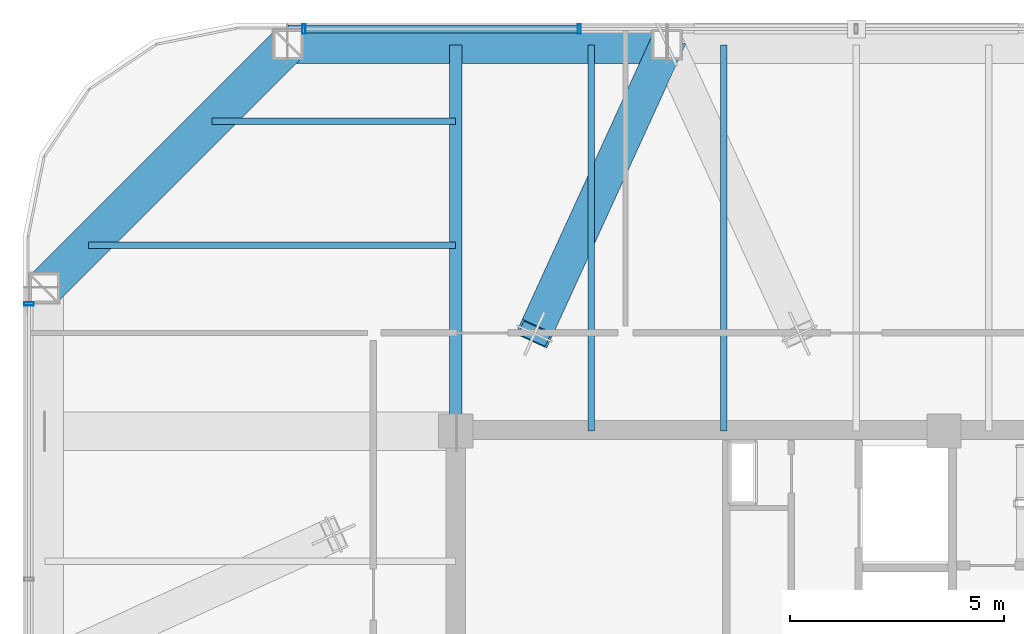
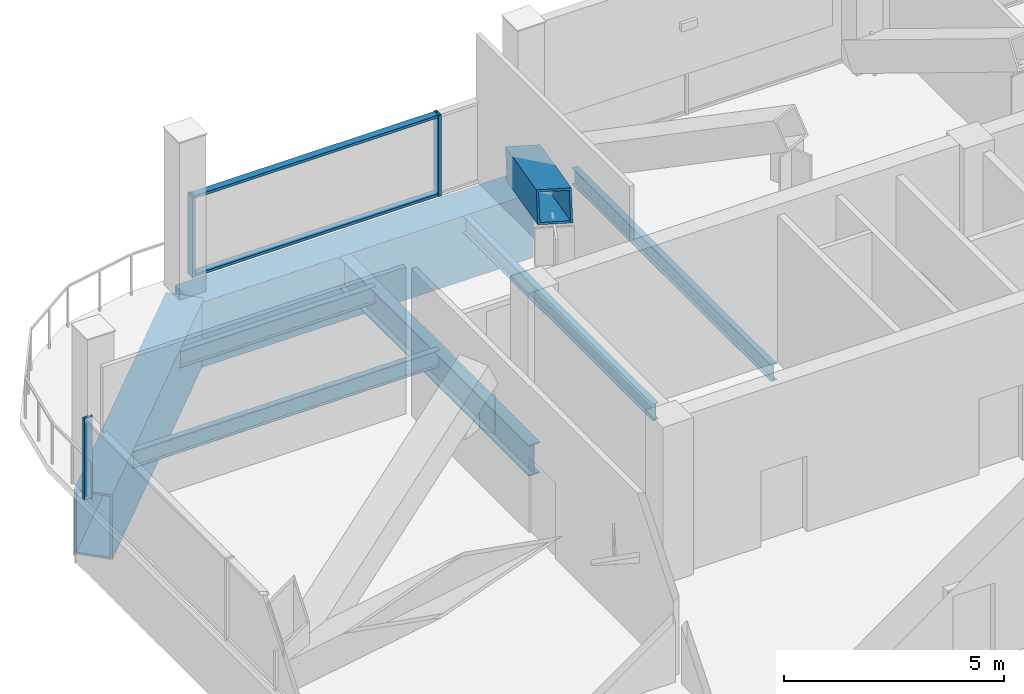
# One storey, part 11 of 19: 7 beams, 6 members, 2 elements without a shape of their own.
"""IFC4 building model written with IfcOpenShell, lengths in metres."""

from ifc_helpers import new_model, si_unit, direction, frame, origin, origin_2d, place, context, subcontext, project, spatial, hollow_rectangle, i_section, extrude, material, layer, layer_set, material_profile, profile_set, type_object, element, aggregate, save


model = new_model("IFC4")

# Units and contexts
model_context = context("Model", 3, precision=1e-05, world=origin(), true_north=direction((0.0, 1.0)))
body_context = subcontext(model_context, "Body", "Model", "MODEL_VIEW")
ifc_project = project(units=[si_unit("LENGTHUNIT", "METRE"), si_unit("AREAUNIT", "SQUARE_METRE"), si_unit("VOLUMEUNIT", "CUBIC_METRE"), si_unit("PLANEANGLEUNIT", "RADIAN"), si_unit("MASSUNIT", "GRAM", prefix="KILO")], contexts=[model_context])

# Site, building, storey
site_placement = place(None, origin())
site = spatial("IfcSite", under=ifc_project, at=site_placement, CompositionType="ELEMENT")
building_placement = place(site_placement, origin())
building = spatial("IfcBuilding", under=site, at=building_placement, Name="Qhalaya Broadcast Tower", CompositionType="ELEMENT")
storey_placement = place(building_placement, frame((0.0, 0.0, 226.949951171875)))
storey = spatial("IfcBuildingStorey", under=building, at=storey_placement, Name="L67", CompositionType="ELEMENT", Elevation=226.949951171875)

# Beams
ifc_material_1 = material(Name="Structural Steel ASTM A572 Grade 50", Category="steel")
ifc_material_profile_1 = material_profile(ifc_material_1, hollow_rectangle(XDim=0.89990234375, YDim=1.800048828125, WallThickness=0.06005859375, at=origin_2d()), Name="BOX 900x1800x60")
ifc_profile_set_1 = profile_set([ifc_material_profile_1], Name="Structural Steel ASTM A572 Grade 50")
beam_type_1 = type_object("IfcBeamType", Name="Block Cantilever Transfer Box Girder TG1", PredefinedType="USERDEFINED", material=ifc_profile_set_1)
beam_1_placement = place(storey_placement, frame((-4.433349609375, 19.0, -1.08984375), z_axis=(-1.0, 0.0, 0.0), x_axis=(0.0, -1.0, 0.0)))
element("IfcBeam", 1, at=beam_1_placement, inside=storey, type_object=beam_type_1, Name="L67 TG1 L67-SPR-11", ObjectType="GIRDER", PredefinedType="USERDEFINED", context=body_context, shape_type="SweptSolid", body=[
    extrude(hollow_rectangle(XDim=0.89990234375, YDim=1.800048828125, WallThickness=0.06005859375, at=origin_2d()), origin(), (0.0, 0.0, 1.0), 8.86669921875),
])
beam_2_placement = place(storey_placement, frame((-13.300048828125, 19.0, -1.08984375), z_axis=(-0.707106781187, -0.707106781187, 0.0), x_axis=(0.707106781187, -0.707106781187, 0.0)))
element("IfcBeam", 2, at=beam_2_placement, inside=storey, type_object=beam_type_1, Name="L67 TG1 L67-SPR-12", ObjectType="GIRDER", PredefinedType="USERDEFINED", context=body_context, shape_type="SweptSolid", body=[
    extrude(hollow_rectangle(XDim=0.89990234375, YDim=1.800048828125, WallThickness=0.06005859375, at=origin_2d()), origin(), (0.0, 0.0, 1.0), 8.06103515625),
])
ifc_material_2 = material(Name="Structural Steel ASTM A992 Grade 50", Category="steel")
ifc_material_profile_2 = material_profile(ifc_material_2, i_section(OverallWidth=0.154052734375, OverallDepth=0.458984375, WebThickness=0.009033203125, FlangeThickness=0.015380859375, at=origin_2d()), Name="W18X46")
ifc_profile_set_2 = profile_set([ifc_material_profile_2], Name="Structural Steel ASTM A992 Grade 50")
beam_type_2 = type_object("IfcBeamType", Name="Composite Floor Joist J04", PredefinedType="JOIST", material=ifc_profile_set_2)
for number, where, z_axis, x_axis, name in (
    (3, (-6.199951171875, 9.949951171875, -0.41943359375), (0.0, 1.0, 0.0), (-1.0, 0.0, 0.0), "L67 J04 L67-JNN1-1"),
    (4, (-3.10009765625, 9.949951171875, -0.41943359375), (0.0, 1.0, 0.0), (-1.0, 0.0, 0.0), "L67 J04 L67-JNN2-1"),
):
    element("IfcBeam", number, at=place(storey_placement, frame(where, z_axis=z_axis, x_axis=x_axis)), inside=storey, type_object=beam_type_2, Name=name, PredefinedType="JOIST", context=body_context, shape_type="SweptSolid", body=[
        extrude(i_section(OverallWidth=0.154052734375, OverallDepth=0.458984375, WebThickness=0.009033203125, FlangeThickness=0.015380859375, at=origin_2d()), origin(), (0.0, 0.0, 1.0), 9.030029296875),
    ])
beam_3_placement = place(storey_placement, frame((-17.9716796875, 14.300048828125, -0.41943359375), z_axis=(1.0, 0.0, 0.0), x_axis=(0.0, 1.0, 0.0)))
element("IfcBeam", 5, at=beam_3_placement, inside=storey, type_object=beam_type_2, Name="L67 J04 L67-JWE6W-1", PredefinedType="JOIST", context=body_context, shape_type="SweptSolid", body=[
    extrude(i_section(OverallWidth=0.154052734375, OverallDepth=0.458984375, WebThickness=0.009033203125, FlangeThickness=0.015380859375, at=origin_2d()), origin(), (0.0, 0.0, 1.0), 8.5966796875),
])
beam_4_placement = place(storey_placement, frame((-15.07177734375, 17.199951171875, -0.41943359375), z_axis=(1.0, 0.0, 0.0), x_axis=(0.0, 1.0, 0.0)))
element("IfcBeam", 6, at=beam_4_placement, inside=storey, type_object=beam_type_2, Name="L67 J04 L67-JWE7W-1", PredefinedType="JOIST", context=body_context, shape_type="SweptSolid", body=[
    extrude(i_section(OverallWidth=0.154052734375, OverallDepth=0.458984375, WebThickness=0.009033203125, FlangeThickness=0.015380859375, at=origin_2d()), origin(), (0.0, 0.0, 1.0), 5.69677734375),
])

# Curtain wall, members
ifc_material_3 = material(Name="Fired Architectural Terracotta", Category="masonry")
ifc_layer = layer(ifc_material_3, 0.219970703125, Name="Fired Architectural Terracotta")
ifc_layer_set = layer_set([ifc_layer], Name="Fired Architectural Terracotta")
curtain_wall_type = type_object("IfcCurtainWallType", Name="Block-Cap Unitised Terracotta Spandrel Wall CW-07", PredefinedType="NOTDEFINED", material=ifc_layer_set)
curtain_wall_1_placement = place(storey_placement, origin())
curtain_wall_1 = element("IfcCurtainWall", 7, at=curtain_wall_1_placement, inside=storey, type_object=curtain_wall_type, Name="L67 Unitised Curtain Wall L67-CW-N", PredefinedType="NOTDEFINED")
ifc_material_4 = material(Name="Anodised Aluminium 6063-T6", Category="aluminium")
ifc_material_profile_3 = material_profile(ifc_material_4, hollow_rectangle(XDim=0.074951171875, YDim=0.219970703125, WallThickness=0.00390625, at=origin_2d()), Name="ALU-MUL 75x220x4")
ifc_profile_set_3 = profile_set([ifc_material_profile_3], Name="Anodised Aluminium 6063-T6")
member_type_1 = type_object("IfcMemberType", Name="Unitised Curtain-Wall Mullion M01", PredefinedType="MULLION", material=ifc_profile_set_3)
member_1_placement = place(storey_placement, frame((-12.924560546875, 19.360107421875, 0.0), z_axis=(0.0, 0.0, 1.0), x_axis=(1.0, 0.0, 0.0)))
member_1 = element("IfcMember", 8, at=member_1_placement, type_object=member_type_1, Name="CW-07 mullion 1", PredefinedType="MULLION", context=body_context, shape_type="SweptSolid", body=[
    extrude(hollow_rectangle(XDim=0.074951171875, YDim=0.219970703125, WallThickness=0.00390625, at=origin_2d()), origin(), (0.0, 0.0, 1.0), 2.25),
])
member_2_placement = place(storey_placement, frame((-6.48095703125, 19.360107421875, 0.0), z_axis=(0.0, 0.0, 1.0), x_axis=(1.0, 0.0, 0.0)))
member_2 = element("IfcMember", 9, at=member_2_placement, type_object=member_type_1, Name="CW-07 mullion 2", PredefinedType="MULLION", context=body_context, shape_type="SweptSolid", body=[
    extrude(hollow_rectangle(XDim=0.074951171875, YDim=0.219970703125, WallThickness=0.00390625, at=origin_2d()), origin(), (0.0, 0.0, 1.0), 2.25),
])

# Curtain wall, member
curtain_wall_2_placement = place(storey_placement, origin())
curtain_wall_2 = element("IfcCurtainWall", 10, at=curtain_wall_2_placement, inside=storey, type_object=curtain_wall_type, Name="L67 Unitised Curtain Wall L67-CW-W", PredefinedType="NOTDEFINED")
member_3_placement = place(storey_placement, frame((-19.360107421875, 12.924560546875, 0.0), z_axis=(0.0, 0.0, 1.0), x_axis=(0.0, 1.0, 0.0)))
member_3 = element("IfcMember", 11, at=member_3_placement, type_object=member_type_1, Name="CW-07 mullion 5", PredefinedType="MULLION", context=body_context, shape_type="SweptSolid", body=[
    extrude(hollow_rectangle(XDim=0.074951171875, YDim=0.219970703125, WallThickness=0.00390625, at=origin_2d()), origin(), (0.0, 0.0, 1.0), 2.25),
])
aggregate(curtain_wall_2, [member_3])

# Member
ifc_material_profile_4 = material_profile(ifc_material_4, hollow_rectangle(XDim=0.074951171875, YDim=0.179931640625, WallThickness=0.00390625, at=origin_2d()), Name="ALU-TRN 75x180x4")
ifc_profile_set_4 = profile_set([ifc_material_profile_4], Name="Anodised Aluminium 6063-T6")
member_type_2 = type_object("IfcMemberType", Name="Unitised Curtain-Wall Transom T01", PredefinedType="USERDEFINED", material=ifc_profile_set_4)
member_4_placement = place(storey_placement, frame((-12.886962890625, 19.360107421875, 0.03759765625), z_axis=(1.0, 0.0, 0.0), x_axis=(0.0, 0.0, 1.0)))
member_4 = element("IfcMember", 12, at=member_4_placement, type_object=member_type_2, Name="CW-07 transom 1.1", ObjectType="TRANSOM", PredefinedType="USERDEFINED", context=body_context, shape_type="SweptSolid", body=[
    extrude(hollow_rectangle(XDim=0.074951171875, YDim=0.179931640625, WallThickness=0.00390625, at=origin_2d()), origin(), (0.0, 0.0, 1.0), 6.368408203125),
])

member_5_placement = place(storey_placement, frame((-12.886962890625, 19.360107421875, 2.212646484375), z_axis=(1.0, 0.0, 0.0), x_axis=(0.0, 0.0, 1.0)))
member_5 = element("IfcMember", 13, at=member_5_placement, type_object=member_type_2, Name="CW-07 transom 1.2", ObjectType="TRANSOM", PredefinedType="USERDEFINED", context=body_context, shape_type="SweptSolid", body=[
    extrude(hollow_rectangle(XDim=0.074951171875, YDim=0.179931640625, WallThickness=0.00390625, at=origin_2d()), origin(), (0.0, 0.0, 1.0), 6.368408203125),
])

aggregate(curtain_wall_1, [member_1, member_2, member_4, member_5])

# Beam
ifc_material_profile_5 = material_profile(ifc_material_2, i_section(OverallWidth=0.2919921875, OverallDepth=0.85888671875, WebThickness=0.01708984375, FlangeThickness=0.031005859375, at=origin_2d()), Name="W33X169")
ifc_profile_set_5 = profile_set([ifc_material_profile_5], Name="Structural Steel ASTM A992 Grade 50")
beam_type_3 = type_object("IfcBeamType", Name="Upper Block Primary Girder PG4", PredefinedType="USERDEFINED", material=ifc_profile_set_5)
beam_5_placement = place(storey_placement, frame((-9.375, 9.949951171875, -0.619384765625), z_axis=(0.0, 1.0, 0.0), x_axis=(-1.0, 0.0, 0.0)))
element("IfcBeam", 14, at=beam_5_placement, inside=storey, type_object=beam_type_3, Name="L67 PG4 L67-PGXN1-1", ObjectType="GIRDER", PredefinedType="USERDEFINED", context=body_context, shape_type="SweptSolid", body=[
    extrude(i_section(OverallWidth=0.2919921875, OverallDepth=0.85888671875, WebThickness=0.01708984375, FlangeThickness=0.031005859375, at=origin_2d()), origin(), (0.0, 0.0, 1.0), 9.030029296875),
])

# Member
ifc_material_profile_6 = material_profile(ifc_material_1, hollow_rectangle(XDim=0.800048828125, YDim=0.800048828125, WallThickness=0.050048828125, at=origin_2d()), Name="BOX 800x800x50")
ifc_profile_set_6 = profile_set([ifc_material_profile_6], Name="Structural Steel ASTM A572 Grade 50")
member_type_3 = type_object("IfcMemberType", Name="Upper Exoskeleton Transfer Strut RK2", PredefinedType="BRACE", material=ifc_profile_set_6)
member_6_placement = place(storey_placement, frame((-4.433349609375, 19.0, 0.362548828125), z_axis=(-0.36667480749, -0.801631379036, 0.472161749506), x_axis=(0.909382337296, -0.415961253742, 0.0)))
element("IfcMember", 15, at=member_6_placement, inside=storey, type_object=member_type_3, Name="L67 Inclined Exoskeleton Transfer Strut 12", PredefinedType="BRACE", context=body_context, shape_type="SweptSolid", body=[
    extrude(hollow_rectangle(XDim=0.800048828125, YDim=0.800048828125, WallThickness=0.050048828125, at=origin_2d()), origin(), (0.0, 0.0, 1.0), 8.4453125),
])

save(model, "model.ifc")
